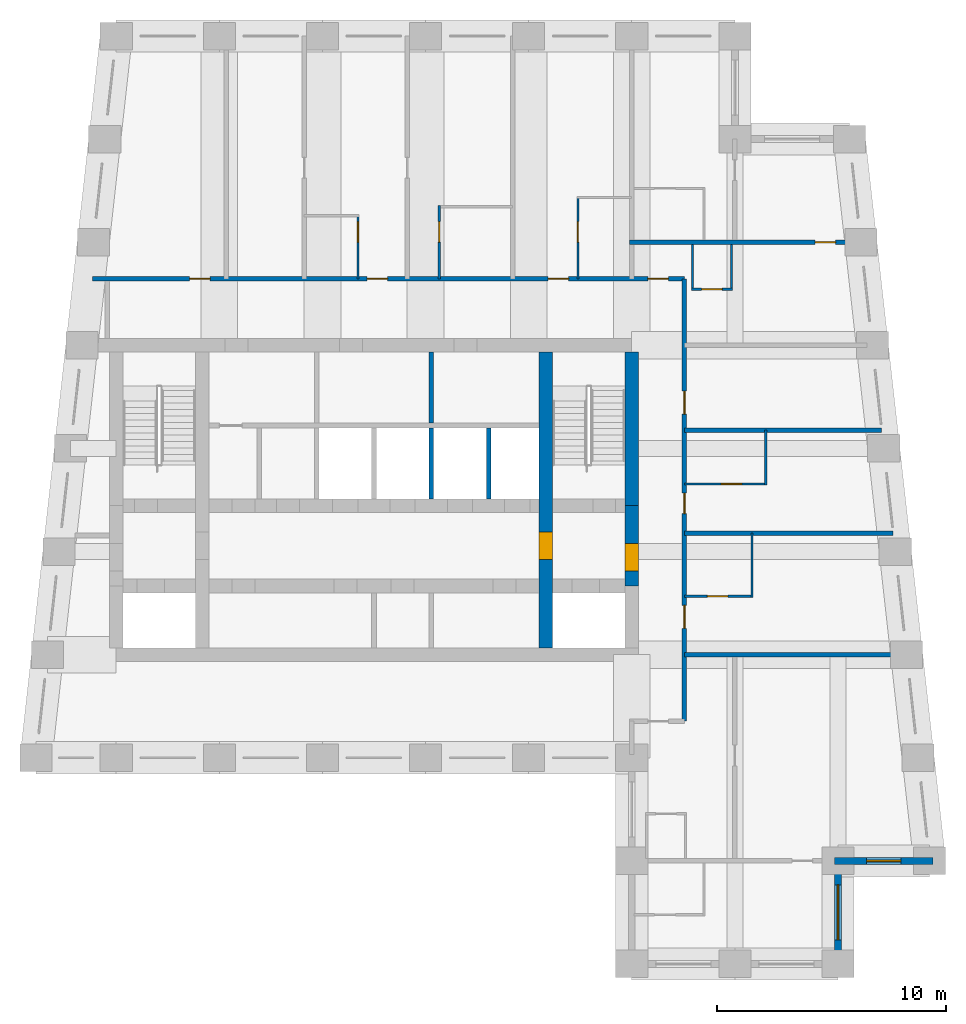
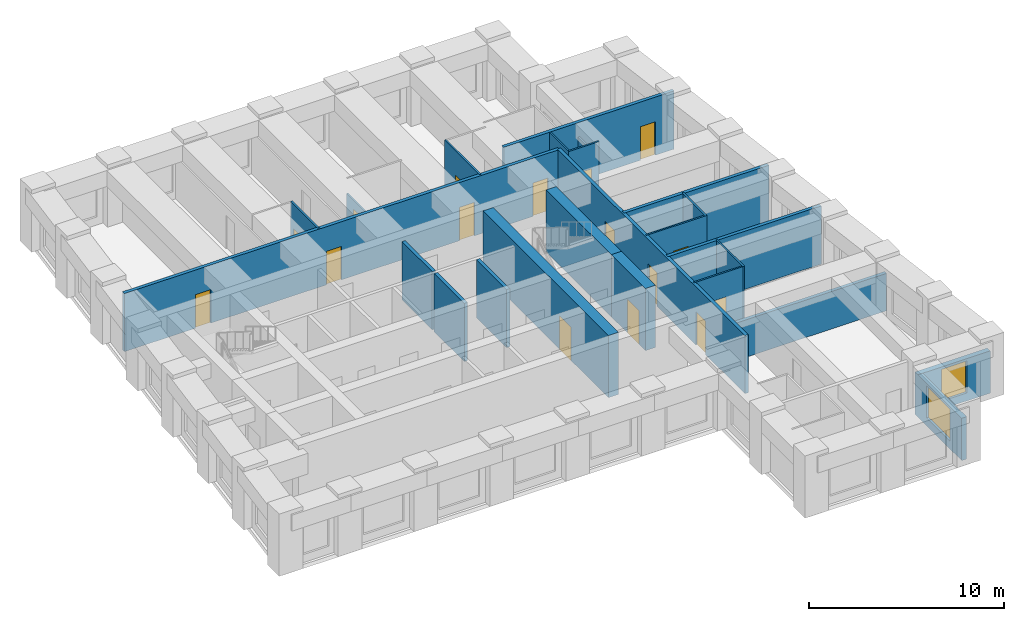
# One storey, part 4 of 7: 24 walls, 16 doors, 2 windows, 18 openings.
"""IFC4 building model written with IfcOpenShell, lengths in metres."""

from ifc_helpers import new_model, si_unit, direction, frame, frame_2d, origin, place, context, subcontext, project, spatial, rectangle, extrude, material, layer, layer_set, type_object, element, fill, save


model = new_model("IFC4")

# Units and contexts
model_context = context("Model", 3, precision=1e-05, world=origin(), true_north=direction((0.0, 1.0)))
body_context = subcontext(model_context, "Body", "Model", "MODEL_VIEW")
ifc_project = project(units=[si_unit("LENGTHUNIT", "METRE"), si_unit("AREAUNIT", "SQUARE_METRE"), si_unit("VOLUMEUNIT", "CUBIC_METRE"), si_unit("PLANEANGLEUNIT", "RADIAN"), si_unit("MASSUNIT", "GRAM", prefix="KILO")], contexts=[model_context])

# Site, building, storey
site_placement = place(None, origin())
site = spatial("IfcSite", under=ifc_project, at=site_placement, CompositionType="ELEMENT")
building_placement = place(site_placement, origin())
building = spatial("IfcBuilding", under=site, at=building_placement, Name="Kilele Tower Hotel", CompositionType="ELEMENT")
storey_placement = place(building_placement, frame((0.0, 0.0, 258.5)))
storey = spatial("IfcBuildingStorey", under=building, at=storey_placement, Name="L66", CompositionType="ELEMENT", Elevation=258.5)

# Wall
ifc_material_1 = material(Name="Moisture-resistant board")
ifc_layer_1 = layer(ifc_material_1, 0.10009765625)
ifc_layer_set_1 = layer_set([ifc_layer_1], Name="Moisture-resistant board")
wall_type_1 = type_object("IfcWallType", Name="Bathroom partition 100", PredefinedType="PLUMBINGWALL", material=ifc_layer_set_1)
wall_1_placement = place(storey_placement, frame((41.25, 16.0, 0.0), z_axis=(0.0, 0.0, 1.0), x_axis=(0.0, 1.0, 0.0)))
element("IfcWall", 1, at=wall_1_placement, inside=storey, type_object=wall_type_1, Name="Bathroom partition 100 L66", PredefinedType="PLUMBINGWALL", context=body_context, shape_type="SweptSolid", body=[
    extrude(rectangle(XDim=2.800048828125, YDim=0.10009765625, at=frame_2d((1.39990234375, 0.0))), origin(), (0.0, 0.0, 1.0), 3.64990234375),
])

# Wall, opening, door
wall_2_placement = place(storey_placement, frame((38.300048828125, 16.050048828125, 0.0), z_axis=(0.0, 0.0, 1.0), x_axis=(1.0, 0.0, 0.0)))
wall_2 = element("IfcWall", 2, at=wall_2_placement, inside=storey, type_object=wall_type_1, Name="Bathroom partition 100 L66", PredefinedType="PLUMBINGWALL", context=body_context, shape_type="SweptSolid", body=[
    extrude(rectangle(XDim=3.0, YDim=0.10009765625, at=frame_2d((1.5, 0.0))), origin(), (0.0, 0.0, 1.0), 3.64990234375),
])
opening_1_placement = place(wall_2_placement, frame((1.89990234375, 0.0, 0.0), z_axis=(0.0, 0.0, 1.0), x_axis=(-1.0, 0.0, 0.0)))
opening_1 = element("IfcOpeningElement", 3, at=opening_1_placement, cuts=wall_2, Name="Opening D2A", PredefinedType="OPENING", context=body_context, shape_type="SweptSolid", body=[
    extrude(rectangle(XDim=0.89990234375, YDim=2.10009765625, at=frame_2d((0.449951171875, 1.050048828125))), frame((0.0, 0.06005859375, 0.0), z_axis=(0.0, -1.0, 0.0), x_axis=(1.0, 0.0, 0.0)), (0.0, 0.0, 1.0), 0.1201171875),
])
ifc_material_2 = material(Name="Timber door leaf in hardwood frame", Category="wood")
door_type_1 = type_object("IfcDoorType", Name="Bathroom door 900", OperationType="SINGLE_SWING_LEFT", PredefinedType="DOOR", material=ifc_material_2)
door_1_placement = place(opening_1_placement, origin())
door_1 = element("IfcDoor", 4, at=door_1_placement, inside=storey, type_object=door_type_1, Name="Bathroom door 6602B", OperationType="SINGLE_SWING_RIGHT", OverallHeight=2.10009765625, OverallWidth=0.89990234375, PredefinedType="DOOR", context=body_context, shape_type="SweptSolid", body=[
    extrude(rectangle(XDim=0.89990234375, YDim=2.10009765625, at=frame_2d((0.449951171875, 1.050048828125))), frame((0.0, 0.02490234375, 0.0), z_axis=(0.0, -1.0, 0.0), x_axis=(1.0, 0.0, 0.0)), (0.0, 0.0, 1.0), 0.050048828125),
])
fill(opening_1, door_1)

# Wall
wall_3_placement = place(storey_placement, frame((41.85009765625, 20.89990234375, 0.0), z_axis=(0.0, 0.0, 1.0), x_axis=(0.0, 1.0, 0.0)))
element("IfcWall", 5, at=wall_3_placement, inside=storey, type_object=wall_type_1, Name="Bathroom partition 100 L66", PredefinedType="PLUMBINGWALL", context=body_context, shape_type="SweptSolid", body=[
    extrude(rectangle(XDim=2.400146484375, YDim=0.10009765625, at=frame_2d((1.2001953125, 0.0))), origin(), (0.0, 0.0, 1.0), 3.64990234375),
])

# Wall, opening, door
wall_4_placement = place(storey_placement, frame((38.300048828125, 20.949951171875, 0.0), z_axis=(0.0, 0.0, 1.0), x_axis=(1.0, 0.0, 0.0)))
wall_4 = element("IfcWall", 6, at=wall_4_placement, inside=storey, type_object=wall_type_1, Name="Bathroom partition 100 L66", PredefinedType="PLUMBINGWALL", context=body_context, shape_type="SweptSolid", body=[
    extrude(rectangle(XDim=3.599853515625, YDim=0.10009765625, at=frame_2d((1.7998046875, 0.0))), origin(), (0.0, 0.0, 1.0), 3.64990234375),
])
opening_2_placement = place(wall_4_placement, frame((2.5, 0.0, 0.0), z_axis=(0.0, 0.0, 1.0), x_axis=(-1.0, 0.0, 0.0)))
opening_2 = element("IfcOpeningElement", 7, at=opening_2_placement, cuts=wall_4, Name="Opening D2A", PredefinedType="OPENING", context=body_context, shape_type="SweptSolid", body=[
    extrude(rectangle(XDim=0.89990234375, YDim=2.10009765625, at=frame_2d((0.449951171875, 1.050048828125))), frame((0.0, 0.06005859375, 0.0), z_axis=(0.0, -1.0, 0.0), x_axis=(1.0, 0.0, 0.0)), (0.0, 0.0, 1.0), 0.1201171875),
])
door_2_placement = place(opening_2_placement, origin())
door_2 = element("IfcDoor", 8, at=door_2_placement, inside=storey, type_object=door_type_1, Name="Bathroom door 6603B", OperationType="SINGLE_SWING_RIGHT", OverallHeight=2.10009765625, OverallWidth=0.89990234375, PredefinedType="DOOR", context=body_context, shape_type="SweptSolid", body=[
    extrude(rectangle(XDim=0.89990234375, YDim=2.10009765625, at=frame_2d((0.449951171875, 1.050048828125))), frame((0.0, 0.02490234375, 0.0), z_axis=(0.0, -1.0, 0.0), x_axis=(1.0, 0.0, 0.0)), (0.0, 0.0, 1.0), 0.050048828125),
])
fill(opening_2, door_2)

wall_5_placement = place(storey_placement, frame((24.050048828125, 29.89990234375, 0.0), z_axis=(0.0, 0.0, 1.0), x_axis=(0.0, 1.0, 0.0)))
wall_5 = element("IfcWall", 9, at=wall_5_placement, inside=storey, type_object=wall_type_1, Name="Bathroom partition 100 L66", PredefinedType="PLUMBINGWALL", context=body_context, shape_type="SweptSolid", body=[
    extrude(rectangle(XDim=2.800048828125, YDim=0.10009765625, at=frame_2d((1.39990234375, 0.0))), origin(), (0.0, 0.0, 1.0), 3.64990234375),
])
opening_3_placement = place(wall_5_placement, frame((2.5, 0.0, 0.0), z_axis=(0.0, 0.0, 1.0), x_axis=(-1.0, 0.0, 0.0)))
opening_3 = element("IfcOpeningElement", 10, at=opening_3_placement, cuts=wall_5, Name="Opening D2A", PredefinedType="OPENING", context=body_context, shape_type="SweptSolid", body=[
    extrude(rectangle(XDim=0.89990234375, YDim=2.10009765625, at=frame_2d((0.449951171875, 1.050048828125))), frame((0.0, 0.06005859375, 0.0), z_axis=(0.0, -1.0, 0.0), x_axis=(1.0, 0.0, 0.0)), (0.0, 0.0, 1.0), 0.1201171875),
])
door_3_placement = place(opening_3_placement, origin())
door_3 = element("IfcDoor", 11, at=door_3_placement, inside=storey, type_object=door_type_1, Name="Bathroom door 6607B", OperationType="SINGLE_SWING_RIGHT", OverallHeight=2.10009765625, OverallWidth=0.89990234375, PredefinedType="DOOR", context=body_context, shape_type="SweptSolid", body=[
    extrude(rectangle(XDim=0.89990234375, YDim=2.10009765625, at=frame_2d((0.449951171875, 1.050048828125))), frame((0.0, 0.02490234375, 0.0), z_axis=(0.0, -1.0, 0.0), x_axis=(1.0, 0.0, 0.0)), (0.0, 0.0, 1.0), 0.050048828125),
])
fill(opening_3, door_3)

wall_6_placement = place(storey_placement, frame((27.60009765625, 29.89990234375, 0.0), z_axis=(0.0, 0.0, 1.0), x_axis=(0.0, 1.0, 0.0)))
wall_6 = element("IfcWall", 12, at=wall_6_placement, inside=storey, type_object=wall_type_1, Name="Bathroom partition 100 L66", PredefinedType="PLUMBINGWALL", context=body_context, shape_type="SweptSolid", body=[
    extrude(rectangle(XDim=3.2001953125, YDim=0.10009765625, at=frame_2d((1.60009765625, 0.0))), origin(), (0.0, 0.0, 1.0), 2.64990234375),
])
opening_4_placement = place(wall_6_placement, frame((1.60009765625, 0.0, 0.0)))
opening_4 = element("IfcOpeningElement", 13, at=opening_4_placement, cuts=wall_6, Name="Opening D2A", PredefinedType="OPENING", context=body_context, shape_type="SweptSolid", body=[
    extrude(rectangle(XDim=0.89990234375, YDim=2.10009765625, at=frame_2d((0.449951171875, 1.050048828125))), frame((0.0, 0.06005859375, 0.0), z_axis=(0.0, -1.0, 0.0), x_axis=(1.0, 0.0, 0.0)), (0.0, 0.0, 1.0), 0.1201171875),
])
door_4_placement = place(opening_4_placement, origin())
door_4 = element("IfcDoor", 14, at=door_4_placement, inside=storey, type_object=door_type_1, Name="Bathroom door 6608B", OperationType="SINGLE_SWING_LEFT", OverallHeight=2.10009765625, OverallWidth=0.89990234375, PredefinedType="DOOR", context=body_context, shape_type="SweptSolid", body=[
    extrude(rectangle(XDim=0.89990234375, YDim=2.10009765625, at=frame_2d((0.449951171875, 1.050048828125))), frame((0.0, 0.02490234375, 0.0), z_axis=(0.0, -1.0, 0.0), x_axis=(1.0, 0.0, 0.0)), (0.0, 0.0, 1.0), 0.050048828125),
])
fill(opening_4, door_4)

wall_7_placement = place(storey_placement, frame((33.64990234375, 29.89990234375, 0.0), z_axis=(0.0, 0.0, 1.0), x_axis=(0.0, 1.0, 0.0)))
wall_7 = element("IfcWall", 15, at=wall_7_placement, inside=storey, type_object=wall_type_1, Name="Bathroom partition 100 L66", PredefinedType="PLUMBINGWALL", context=body_context, shape_type="SweptSolid", body=[
    extrude(rectangle(XDim=3.60009765625, YDim=0.10009765625, at=frame_2d((1.800048828125, 0.0))), origin(), (0.0, 0.0, 1.0), 3.64990234375),
])
opening_5_placement = place(wall_7_placement, frame((1.60009765625, 0.0, 0.0)))
opening_5 = element("IfcOpeningElement", 16, at=opening_5_placement, cuts=wall_7, Name="Opening D2A", PredefinedType="OPENING", context=body_context, shape_type="SweptSolid", body=[
    extrude(rectangle(XDim=0.89990234375, YDim=2.10009765625, at=frame_2d((0.449951171875, 1.050048828125))), frame((0.0, 0.06005859375, 0.0), z_axis=(0.0, -1.0, 0.0), x_axis=(1.0, 0.0, 0.0)), (0.0, 0.0, 1.0), 0.1201171875),
])
door_5_placement = place(opening_5_placement, origin())
door_5 = element("IfcDoor", 17, at=door_5_placement, inside=storey, type_object=door_type_1, Name="Bathroom door 6609B", OperationType="SINGLE_SWING_LEFT", OverallHeight=2.10009765625, OverallWidth=0.89990234375, PredefinedType="DOOR", context=body_context, shape_type="SweptSolid", body=[
    extrude(rectangle(XDim=0.89990234375, YDim=2.10009765625, at=frame_2d((0.449951171875, 1.050048828125))), frame((0.0, 0.02490234375, 0.0), z_axis=(0.0, -1.0, 0.0), x_axis=(1.0, 0.0, 0.0)), (0.0, 0.0, 1.0), 0.050048828125),
])
fill(opening_5, door_5)

# Walls
wall_8_placement = place(storey_placement, frame((40.35009765625, 31.39990234375, 0.0), z_axis=(0.0, 0.0, 1.0), x_axis=(0.0, -1.0, 0.0)))
element("IfcWall", 18, at=wall_8_placement, inside=storey, type_object=wall_type_1, Name="Bathroom partition 100 L66", PredefinedType="PLUMBINGWALL", context=body_context, shape_type="SweptSolid", body=[
    extrude(rectangle(XDim=2.0, YDim=0.10009765625, at=frame_2d((1.0, 0.0))), origin(), (0.0, 0.0, 1.0), 2.75),
])
wall_9_placement = place(storey_placement, frame((38.64990234375, 31.39990234375, 0.0), z_axis=(0.0, 0.0, 1.0), x_axis=(0.0, -1.0, 0.0)))
element("IfcWall", 19, at=wall_9_placement, inside=storey, type_object=wall_type_1, Name="Bathroom partition 100 L66", PredefinedType="PLUMBINGWALL", context=body_context, shape_type="SweptSolid", body=[
    extrude(rectangle(XDim=2.0, YDim=0.10009765625, at=frame_2d((1.0, 0.0))), origin(), (0.0, 0.0, 1.0), 3.64990234375),
])

# Wall, opening, door
wall_10_placement = place(storey_placement, frame((38.60009765625, 29.449951171875, 0.0), z_axis=(0.0, 0.0, 1.0), x_axis=(1.0, 0.0, 0.0)))
wall_10 = element("IfcWall", 20, at=wall_10_placement, inside=storey, type_object=wall_type_1, Name="Bathroom partition 100 L66", PredefinedType="PLUMBINGWALL", context=body_context, shape_type="SweptSolid", body=[
    extrude(rectangle(XDim=1.7998046875, YDim=0.10009765625, at=frame_2d((0.89990234375, 0.0))), origin(), (0.0, 0.0, 1.0), 3.64990234375),
])
opening_6_placement = place(wall_10_placement, frame((1.349853515625, 0.0, 0.0), z_axis=(0.0, 0.0, 1.0), x_axis=(-1.0, 0.0, 0.0)))
opening_6 = element("IfcOpeningElement", 21, at=opening_6_placement, cuts=wall_10, Name="Opening D2A", PredefinedType="OPENING", context=body_context, shape_type="SweptSolid", body=[
    extrude(rectangle(XDim=0.89990234375, YDim=2.10009765625, at=frame_2d((0.449951171875, 1.050048828125))), frame((0.0, 0.06005859375, 0.0), z_axis=(0.0, -1.0, 0.0), x_axis=(1.0, 0.0, 0.0)), (0.0, 0.0, 1.0), 0.1201171875),
])
door_6_placement = place(opening_6_placement, origin())
door_6 = element("IfcDoor", 22, at=door_6_placement, inside=storey, type_object=door_type_1, Name="Bathroom door 6613P", OperationType="SINGLE_SWING_RIGHT", OverallHeight=2.10009765625, OverallWidth=0.89990234375, PredefinedType="DOOR", context=body_context, shape_type="SweptSolid", body=[
    extrude(rectangle(XDim=0.89990234375, YDim=2.10009765625, at=frame_2d((0.449951171875, 1.050048828125))), frame((0.0, 0.02490234375, 0.0), z_axis=(0.0, -1.0, 0.0), x_axis=(1.0, 0.0, 0.0)), (0.0, 0.0, 1.0), 0.050048828125),
])
fill(opening_6, door_6)

ifc_material_3 = material(Name="Concrete C60/75", Category="concrete")
ifc_layer_2 = layer(ifc_material_3, 0.60009765625)
ifc_layer_set_2 = layer_set([ifc_layer_2], Name="Concrete C60/75")
wall_type_2 = type_object("IfcWallType", Name="Core wall 600 C60/75", PredefinedType="SHEAR", material=ifc_layer_set_2)
wall_11_placement = place(storey_placement, frame((32.25, 13.800048828125, 0.0), z_axis=(0.0, 0.0, 1.0), x_axis=(0.0, 1.0, 0.0)))
wall_11 = element("IfcWall", 23, at=wall_11_placement, inside=storey, type_object=wall_type_2, Name="Core wall IE L66", PredefinedType="SHEAR", context=body_context, shape_type="SweptSolid", body=[
    extrude(rectangle(XDim=12.89990234375, YDim=0.60009765625, at=frame_2d((6.449951171875, 0.0))), origin(), (0.0, 0.0, 1.0), 3.89990234375),
])
opening_7_placement = place(wall_11_placement, frame((5.050048828125, 0.0, 0.0), z_axis=(0.0, 0.0, 1.0), x_axis=(-1.0, 0.0, 0.0)))
opening_7 = element("IfcOpeningElement", 24, at=opening_7_placement, cuts=wall_11, Name="Opening D4", PredefinedType="OPENING", context=body_context, shape_type="SweptSolid", body=[
    extrude(rectangle(XDim=1.199951171875, YDim=2.10009765625, at=frame_2d((0.60009765625, 1.050048828125))), frame((0.0, 0.31005859375, 0.0), z_axis=(0.0, -1.0, 0.0), x_axis=(1.0, 0.0, 0.0)), (0.0, 0.0, 1.0), 0.6201171875),
])
ifc_material_4 = material(Name="Timber door leaf in hardwood frame", Category="wood")
door_type_2 = type_object("IfcDoorType", Name="Firefighting lobby door 1200", OperationType="SINGLE_SWING_LEFT", PredefinedType="DOOR", material=ifc_material_4)
door_7_placement = place(opening_7_placement, origin())
door_7 = element("IfcDoor", 25, at=door_7_placement, inside=storey, type_object=door_type_2, Name="Lobby door L66", OperationType="SINGLE_SWING_RIGHT", OverallHeight=2.10009765625, OverallWidth=1.199951171875, PredefinedType="DOOR", context=body_context, shape_type="SweptSolid", body=[
    extrude(rectangle(XDim=1.199951171875, YDim=2.10009765625, at=frame_2d((0.60009765625, 1.050048828125))), frame((0.0, 0.2998046875, 0.0), z_axis=(0.0, -1.0, 0.0), x_axis=(1.0, 0.0, 0.0)), (0.0, 0.0, 1.0), 0.599609375),
])
fill(opening_7, door_7)

wall_12_placement = place(storey_placement, frame((36.0, 16.5, 0.0), z_axis=(0.0, 0.0, 1.0), x_axis=(0.0, 1.0, 0.0)))
wall_12 = element("IfcWall", 26, at=wall_12_placement, inside=storey, type_object=wall_type_2, Name="Core wall E2 L66", PredefinedType="SHEAR", context=body_context, shape_type="SweptSolid", body=[
    extrude(rectangle(XDim=3.5, YDim=0.60009765625, at=frame_2d((1.75, 0.0))), origin(), (0.0, 0.0, 1.0), 3.89990234375),
])
opening_8_placement = place(wall_12_placement, frame((0.64990234375, 0.0, 0.0)))
opening_8 = element("IfcOpeningElement", 27, at=opening_8_placement, cuts=wall_12, Name="Opening D4", PredefinedType="OPENING", context=body_context, shape_type="SweptSolid", body=[
    extrude(rectangle(XDim=1.199951171875, YDim=2.10009765625, at=frame_2d((0.60009765625, 1.050048828125))), frame((0.0, 0.31005859375, 0.0), z_axis=(0.0, -1.0, 0.0), x_axis=(1.0, 0.0, 0.0)), (0.0, 0.0, 1.0), 0.6201171875),
])
door_8_placement = place(opening_8_placement, origin())
door_8 = element("IfcDoor", 28, at=door_8_placement, inside=storey, type_object=door_type_2, Name="Lobby door L66", OperationType="SINGLE_SWING_LEFT", OverallHeight=2.10009765625, OverallWidth=1.199951171875, PredefinedType="DOOR", context=body_context, shape_type="SweptSolid", body=[
    extrude(rectangle(XDim=1.199951171875, YDim=2.10009765625, at=frame_2d((0.60009765625, 1.050048828125))), frame((0.0, 0.2998046875, 0.0), z_axis=(0.0, -1.0, 0.0), x_axis=(1.0, 0.0, 0.0)), (0.0, 0.0, 1.0), 0.599609375),
])
fill(opening_8, door_8)

# Wall
wall_13_placement = place(storey_placement, frame((36.0, 20.0, 0.0), z_axis=(0.0, 0.0, 1.0), x_axis=(0.0, 1.0, 0.0)))
element("IfcWall", 29, at=wall_13_placement, inside=storey, type_object=wall_type_2, Name="Core wall E3 L66", PredefinedType="SHEAR", context=body_context, shape_type="SweptSolid", body=[
    extrude(rectangle(XDim=6.699951171875, YDim=0.60009765625, at=frame_2d((3.35009765625, 0.0))), origin(), (0.0, 0.0, 1.0), 3.89990234375),
])

# Wall, openings, doors
ifc_material_5 = material(Name="Blockwork, plastered both sides", Category="masonry")
ifc_layer_3 = layer(ifc_material_5, 0.199951171875)
ifc_layer_set_3 = layer_set([ifc_layer_3], Name="Blockwork, plastered both sides")
wall_type_3 = type_object("IfcWallType", Name="Corridor wall 200", PredefinedType="PARTITIONING", material=ifc_layer_set_3)
wall_14_placement = place(storey_placement, frame((12.47314453125, 29.89990234375, 0.0), z_axis=(0.0, 0.0, 1.0), x_axis=(1.0, 0.0, 0.0)))
wall_14 = element("IfcWall", 30, at=wall_14_placement, inside=storey, type_object=wall_type_3, Name="Corridor wall 200 L66", PredefinedType="PARTITIONING", context=body_context, shape_type="SweptSolid", body=[
    extrude(rectangle(XDim=25.826904296875, YDim=0.199951171875, at=frame_2d((12.91357421875, 0.0))), origin(), (0.0, 0.0, 1.0), 3.64990234375),
])
opening_9_placement = place(wall_14_placement, frame((4.226806640625, 0.0, 0.0)))
opening_9 = element("IfcOpeningElement", 31, at=opening_9_placement, cuts=wall_14, Name="Opening D1", PredefinedType="OPENING", context=body_context, shape_type="SweptSolid", body=[
    extrude(rectangle(XDim=0.89990234375, YDim=2.10009765625, at=frame_2d((0.449951171875, 1.050048828125))), frame((0.0, 0.10986328125, 0.0), z_axis=(0.0, -1.0, 0.0), x_axis=(1.0, 0.0, 0.0)), (0.0, 0.0, 1.0), 0.219970703125),
])
opening_10_placement = place(wall_14_placement, frame((11.976806640625, 0.0, 0.0)))
opening_10 = element("IfcOpeningElement", 32, at=opening_10_placement, cuts=wall_14, Name="Opening D1", PredefinedType="OPENING", context=body_context, shape_type="SweptSolid", body=[
    extrude(rectangle(XDim=0.89990234375, YDim=2.10009765625, at=frame_2d((0.449951171875, 1.050048828125))), frame((0.0, 0.10986328125, 0.0), z_axis=(0.0, -1.0, 0.0), x_axis=(1.0, 0.0, 0.0)), (0.0, 0.0, 1.0), 0.219970703125),
])
opening_11_placement = place(wall_14_placement, frame((19.876953125, 0.0, 0.0)))
opening_11 = element("IfcOpeningElement", 33, at=opening_11_placement, cuts=wall_14, Name="Opening D1", PredefinedType="OPENING", context=body_context, shape_type="SweptSolid", body=[
    extrude(rectangle(XDim=0.89990234375, YDim=2.10009765625, at=frame_2d((0.449951171875, 1.050048828125))), frame((0.0, 0.10986328125, 0.0), z_axis=(0.0, -1.0, 0.0), x_axis=(1.0, 0.0, 0.0)), (0.0, 0.0, 1.0), 0.219970703125),
])
opening_12_placement = place(wall_14_placement, frame((24.226806640625, 0.0, 0.0)))
opening_12 = element("IfcOpeningElement", 34, at=opening_12_placement, cuts=wall_14, Name="Opening D1", PredefinedType="OPENING", context=body_context, shape_type="SweptSolid", body=[
    extrude(rectangle(XDim=0.89990234375, YDim=2.10009765625, at=frame_2d((0.449951171875, 1.050048828125))), frame((0.0, 0.10986328125, 0.0), z_axis=(0.0, -1.0, 0.0), x_axis=(1.0, 0.0, 0.0)), (0.0, 0.0, 1.0), 0.219970703125),
])
ifc_material_6 = material(Name="Timber door leaf in hardwood frame", Category="wood")
door_type_3 = type_object("IfcDoorType", Name="Guest room entrance door 900", OperationType="SINGLE_SWING_LEFT", PredefinedType="DOOR", material=ifc_material_6)
door_9_placement = place(opening_9_placement, origin())
door_9 = element("IfcDoor", 35, at=door_9_placement, inside=storey, type_object=door_type_3, Name="Room entrance 6605", OperationType="SINGLE_SWING_RIGHT", OverallHeight=2.10009765625, OverallWidth=0.89990234375, PredefinedType="DOOR", context=body_context, shape_type="SweptSolid", body=[
    extrude(rectangle(XDim=0.89990234375, YDim=2.10009765625, at=frame_2d((0.449951171875, 1.050048828125))), frame((0.0, 0.02490234375, 0.0), z_axis=(0.0, -1.0, 0.0), x_axis=(1.0, 0.0, 0.0)), (0.0, 0.0, 1.0), 0.050048828125),
])
fill(opening_9, door_9)
door_10_placement = place(opening_10_placement, origin())
door_10 = element("IfcDoor", 36, at=door_10_placement, inside=storey, type_object=door_type_3, Name="Room entrance 6607", OperationType="SINGLE_SWING_LEFT", OverallHeight=2.10009765625, OverallWidth=0.89990234375, PredefinedType="DOOR", context=body_context, shape_type="SweptSolid", body=[
    extrude(rectangle(XDim=0.89990234375, YDim=2.10009765625, at=frame_2d((0.449951171875, 1.050048828125))), frame((0.0, 0.02490234375, 0.0), z_axis=(0.0, -1.0, 0.0), x_axis=(1.0, 0.0, 0.0)), (0.0, 0.0, 1.0), 0.050048828125),
])
fill(opening_10, door_10)
door_11_placement = place(opening_11_placement, origin())
door_11 = element("IfcDoor", 37, at=door_11_placement, inside=storey, type_object=door_type_3, Name="Room entrance 6609", OperationType="SINGLE_SWING_RIGHT", OverallHeight=2.10009765625, OverallWidth=0.89990234375, PredefinedType="DOOR", context=body_context, shape_type="SweptSolid", body=[
    extrude(rectangle(XDim=0.89990234375, YDim=2.10009765625, at=frame_2d((0.449951171875, 1.050048828125))), frame((0.0, 0.02490234375, 0.0), z_axis=(0.0, -1.0, 0.0), x_axis=(1.0, 0.0, 0.0)), (0.0, 0.0, 1.0), 0.050048828125),
])
fill(opening_11, door_11)
door_12_placement = place(opening_12_placement, origin())
door_12 = element("IfcDoor", 38, at=door_12_placement, inside=storey, type_object=door_type_3, Name="Room entrance 6613", OperationType="SINGLE_SWING_LEFT", OverallHeight=2.10009765625, OverallWidth=0.89990234375, PredefinedType="DOOR", context=body_context, shape_type="SweptSolid", body=[
    extrude(rectangle(XDim=0.89990234375, YDim=2.10009765625, at=frame_2d((0.449951171875, 1.050048828125))), frame((0.0, 0.02490234375, 0.0), z_axis=(0.0, -1.0, 0.0), x_axis=(1.0, 0.0, 0.0)), (0.0, 0.0, 1.0), 0.050048828125),
])
fill(opening_12, door_12)

wall_15_placement = place(storey_placement, frame((38.300048828125, 10.60009765625, 0.0), z_axis=(0.0, 0.0, 1.0), x_axis=(0.0, 1.0, 0.0)))
wall_15 = element("IfcWall", 39, at=wall_15_placement, inside=storey, type_object=wall_type_3, Name="Corridor wall 200 L66", PredefinedType="PARTITIONING", context=body_context, shape_type="SweptSolid", body=[
    extrude(rectangle(XDim=19.2998046875, YDim=0.199951171875, at=frame_2d((9.64990234375, 0.0))), origin(), (0.0, 0.0, 1.0), 3.64990234375),
])
opening_13_placement = place(wall_15_placement, frame((5.050048828125, 0.0, 0.0), z_axis=(0.0, 0.0, 1.0), x_axis=(-1.0, 0.0, 0.0)))
opening_13 = element("IfcOpeningElement", 40, at=opening_13_placement, cuts=wall_15, Name="Opening D1A", PredefinedType="OPENING", context=body_context, shape_type="SweptSolid", body=[
    extrude(rectangle(XDim=1.0, YDim=2.10009765625, at=frame_2d((0.5, 1.050048828125))), frame((0.0, 0.10986328125, 0.0), z_axis=(0.0, -1.0, 0.0), x_axis=(1.0, 0.0, 0.0)), (0.0, 0.0, 1.0), 0.219970703125),
])
opening_14_placement = place(wall_15_placement, frame((9.949951171875, 0.0, 0.0), z_axis=(0.0, 0.0, 1.0), x_axis=(-1.0, 0.0, 0.0)))
opening_14 = element("IfcOpeningElement", 41, at=opening_14_placement, cuts=wall_15, Name="Opening D1", PredefinedType="OPENING", context=body_context, shape_type="SweptSolid", body=[
    extrude(rectangle(XDim=0.89990234375, YDim=2.10009765625, at=frame_2d((0.449951171875, 1.050048828125))), frame((0.0, 0.10986328125, 0.0), z_axis=(0.0, -1.0, 0.0), x_axis=(1.0, 0.0, 0.0)), (0.0, 0.0, 1.0), 0.219970703125),
])
opening_15_placement = place(wall_15_placement, frame((14.39990234375, 0.0, 0.0), z_axis=(0.0, 0.0, 1.0), x_axis=(-1.0, 0.0, 0.0)))
opening_15 = element("IfcOpeningElement", 42, at=opening_15_placement, cuts=wall_15, Name="Opening D8", PredefinedType="OPENING", context=body_context, shape_type="SweptSolid", body=[
    extrude(rectangle(XDim=1.0, YDim=2.10009765625, at=frame_2d((0.5, 1.050048828125))), frame((0.0, 0.10986328125, 0.0), z_axis=(0.0, -1.0, 0.0), x_axis=(1.0, 0.0, 0.0)), (0.0, 0.0, 1.0), 0.219970703125),
])
ifc_material_7 = material(Name="Timber door leaf in hardwood frame", Category="wood")
door_type_4 = type_object("IfcDoorType", Name="Door 1000", OperationType="SINGLE_SWING_LEFT", PredefinedType="DOOR", material=ifc_material_7)
door_13_placement = place(opening_15_placement, origin())
door_13 = element("IfcDoor", 43, at=door_13_placement, inside=storey, type_object=door_type_4, Name="Room entrance 6604", OperationType="SINGLE_SWING_RIGHT", OverallHeight=2.10009765625, OverallWidth=1.0, PredefinedType="DOOR", context=body_context, shape_type="SweptSolid", body=[
    extrude(rectangle(XDim=1.0, YDim=2.10009765625, at=frame_2d((0.5, 1.050048828125))), frame((0.0, 0.02490234375, 0.0), z_axis=(0.0, -1.0, 0.0), x_axis=(1.0, 0.0, 0.0)), (0.0, 0.0, 1.0), 0.050048828125),
])
fill(opening_15, door_13)
ifc_material_8 = material(Name="Timber door leaf in hardwood frame", Category="wood")
door_type_5 = type_object("IfcDoorType", Name="Guest room entrance door 1000", OperationType="SINGLE_SWING_LEFT", PredefinedType="DOOR", material=ifc_material_8)
door_14_placement = place(opening_13_placement, origin())
door_14 = element("IfcDoor", 44, at=door_14_placement, inside=storey, type_object=door_type_5, Name="Room entrance 6602", OperationType="SINGLE_SWING_LEFT", OverallHeight=2.10009765625, OverallWidth=1.0, PredefinedType="DOOR", context=body_context, shape_type="SweptSolid", body=[
    extrude(rectangle(XDim=1.0, YDim=2.10009765625, at=frame_2d((0.5, 1.050048828125))), frame((0.0, 0.02490234375, 0.0), z_axis=(0.0, -1.0, 0.0), x_axis=(1.0, 0.0, 0.0)), (0.0, 0.0, 1.0), 0.050048828125),
])
fill(opening_13, door_14)
door_15_placement = place(opening_14_placement, origin())
door_15 = element("IfcDoor", 45, at=door_15_placement, inside=storey, type_object=door_type_3, Name="Room entrance 6603", OperationType="SINGLE_SWING_LEFT", OverallHeight=2.10009765625, OverallWidth=0.89990234375, PredefinedType="DOOR", context=body_context, shape_type="SweptSolid", body=[
    extrude(rectangle(XDim=0.89990234375, YDim=2.10009765625, at=frame_2d((0.449951171875, 1.050048828125))), frame((0.0, 0.02490234375, 0.0), z_axis=(0.0, -1.0, 0.0), x_axis=(1.0, 0.0, 0.0)), (0.0, 0.0, 1.0), 0.050048828125),
])
fill(opening_14, door_15)

# Walls
ifc_material_9 = material(Name="Blockwork, plastered both sides", Category="masonry")
ifc_layer_4 = layer(ifc_material_9, 0.199951171875)
ifc_layer_set_4 = layer_set([ifc_layer_4], Name="Blockwork, plastered both sides")
wall_type_4 = type_object("IfcWallType", Name="Party wall 200", PredefinedType="PARTITIONING", material=ifc_layer_set_4)
wall_16_placement = place(storey_placement, frame((38.300048828125, 18.800048828125, 0.0), z_axis=(0.0, 0.0, 1.0), x_axis=(1.0, 0.0, 0.0)))
element("IfcWall", 46, at=wall_16_placement, inside=storey, type_object=wall_type_4, Name="Party wall 200 L66", PredefinedType="PARTITIONING", context=body_context, shape_type="SweptSolid", body=[
    extrude(rectangle(XDim=9.110107421875, YDim=0.199951171875, at=frame_2d((4.55517578125, 0.0))), origin(), (0.0, 0.0, 1.0), 3.64990234375),
])
wall_17_placement = place(storey_placement, frame((38.300048828125, 23.300048828125, 0.0), z_axis=(0.0, 0.0, 1.0), x_axis=(1.0, 0.0, 0.0)))
element("IfcWall", 47, at=wall_17_placement, inside=storey, type_object=wall_type_4, Name="Party wall 200 L66", PredefinedType="PARTITIONING", context=body_context, shape_type="SweptSolid", body=[
    extrude(rectangle(XDim=8.610107421875, YDim=0.199951171875, at=frame_2d((4.30517578125, 0.0))), origin(), (0.0, 0.0, 1.0), 3.64990234375),
])
wall_18_placement = place(storey_placement, frame((38.300048828125, 13.5, 0.0), z_axis=(0.0, 0.0, 1.0), x_axis=(1.0, 0.0, 0.0)))
element("IfcWall", 48, at=wall_18_placement, inside=storey, type_object=wall_type_4, Name="Party wall 200 L66", PredefinedType="PARTITIONING", context=body_context, shape_type="SweptSolid", body=[
    extrude(rectangle(XDim=9.921142578125, YDim=0.199951171875, at=frame_2d((4.96044921875, 0.0))), origin(), (0.0, 0.0, 1.0), 2.35009765625),
])

# Wall, opening, door
wall_19_placement = place(storey_placement, frame((35.89990234375, 31.5, 0.0), z_axis=(0.0, 0.0, 1.0), x_axis=(1.0, 0.0, 0.0)))
wall_19 = element("IfcWall", 49, at=wall_19_placement, inside=storey, type_object=wall_type_4, Name="Party wall 200 L66", PredefinedType="PARTITIONING", context=body_context, shape_type="SweptSolid", body=[
    extrude(rectangle(XDim=10.09912109375, YDim=0.199951171875, at=frame_2d((5.049560546875, 0.0))), origin(), (0.0, 0.0, 1.0), 3.64990234375),
])
opening_16_placement = place(wall_19_placement, frame((8.09912109375, 0.0, 0.0)))
opening_16 = element("IfcOpeningElement", 50, at=opening_16_placement, cuts=wall_19, Name="Opening D3", PredefinedType="OPENING", context=body_context, shape_type="SweptSolid", body=[
    extrude(rectangle(XDim=0.89990234375, YDim=2.10009765625, at=frame_2d((0.449951171875, 1.050048828125))), frame((0.0, 0.10986328125, 0.0), z_axis=(0.0, -1.0, 0.0), x_axis=(1.0, 0.0, 0.0)), (0.0, 0.0, 1.0), 0.219970703125),
])
ifc_material_10 = material(Name="Timber door leaf in hardwood frame", Category="wood")
door_type_6 = type_object("IfcDoorType", Name="Suite internal door 900", OperationType="SINGLE_SWING_LEFT", PredefinedType="DOOR", material=ifc_material_10)
door_16_placement = place(opening_16_placement, origin())
door_16 = element("IfcDoor", 51, at=door_16_placement, inside=storey, type_object=door_type_6, Name="Suite door 6614", OperationType="SINGLE_SWING_RIGHT", OverallHeight=2.10009765625, OverallWidth=0.89990234375, PredefinedType="DOOR", context=body_context, shape_type="SweptSolid", body=[
    extrude(rectangle(XDim=0.89990234375, YDim=2.10009765625, at=frame_2d((0.449951171875, 1.050048828125))), frame((0.0, 0.02490234375, 0.0), z_axis=(0.0, -1.0, 0.0), x_axis=(1.0, 0.0, 0.0)), (0.0, 0.0, 1.0), 0.050048828125),
])
fill(opening_16, door_16)

# Wall, opening, window
ifc_material_11 = material(Name="Concrete C40/50 precast", Category="concrete")
ifc_layer_5 = layer(ifc_material_11, 0.260009765625, Name="Precast backing", Category="LoadBearing")
ifc_material_12 = material(Name="Reconstituted stone finish", Category="masonry")
ifc_layer_6 = layer(ifc_material_12, 0.0400390625, Name="Face mix", Category="Finish")
ifc_layer_set_5 = layer_set([ifc_layer_5, ifc_layer_6], Name="Precast concrete C40/50, reconstituted stone finish")
wall_type_5 = type_object("IfcWallType", Name="Precast stone facade wall 300", PredefinedType="STANDARD", material=ifc_layer_set_5)
wall_20_placement = place(storey_placement, frame((45.0, -0.14990234375, 0.0), z_axis=(0.0, 0.0, 1.0), x_axis=(0.0, 1.0, 0.0)))
wall_20 = element("IfcWall", 52, at=wall_20_placement, inside=storey, type_object=wall_type_5, Name="Facade wall L66 edge 4", PredefinedType="STANDARD", context=body_context, shape_type="SweptSolid", body=[
    extrude(rectangle(XDim=4.7998046875, YDim=0.300048828125, at=frame_2d((2.39990234375, 0.0))), origin(), (0.0, 0.0, 1.0), 2.64990234375),
])
opening_17_placement = place(wall_20_placement, frame((1.199951171875, 0.0, 0.5)))
opening_17 = element("IfcOpeningElement", 53, at=opening_17_placement, cuts=wall_20, Name="Opening W4", PredefinedType="OPENING", context=body_context, shape_type="SweptSolid", body=[
    extrude(rectangle(XDim=2.39990234375, YDim=2.0, at=frame_2d((1.199951171875, 1.0))), frame((0.0, 0.159912109375, 0.0), z_axis=(0.0, -1.0, 0.0), x_axis=(1.0, 0.0, 0.0)), (0.0, 0.0, 1.0), 0.320068359375),
])
ifc_material_13 = material(Name="Aluminium frame, clear double glazing", Category="aluminium")
window_type_1 = type_object("IfcWindowType", Name="Window W4 2400 x 2000", PartitioningType="SINGLE_PANEL", PredefinedType="WINDOW", material=ifc_material_13)
window_1_placement = place(opening_17_placement, origin())
window_1 = element("IfcWindow", 54, at=window_1_placement, inside=storey, type_object=window_type_1, Name="Window L66", OverallHeight=2.0, OverallWidth=2.39990234375, PartitioningType="SINGLE_PANEL", PredefinedType="WINDOW", context=body_context, shape_type="SweptSolid", body=[
    extrude(rectangle(XDim=2.39990234375, YDim=2.0, at=frame_2d((1.199951171875, 1.0))), frame((0.0, 0.030029296875, 0.0), z_axis=(0.0, -1.0, 0.0), x_axis=(1.0, 0.0, 0.0)), (0.0, 0.0, 1.0), 0.06005859375),
])
fill(opening_17, window_1)

wall_21_placement = place(storey_placement, frame((44.85009765625, 4.5, 0.0), z_axis=(0.0, 0.0, 1.0), x_axis=(1.0, 0.0, 0.0)))
wall_21 = element("IfcWall", 55, at=wall_21_placement, inside=storey, type_object=wall_type_5, Name="Facade wall L66 edge 5", PredefinedType="STANDARD", context=body_context, shape_type="SweptSolid", body=[
    extrude(rectangle(XDim=4.2998046875, YDim=0.300048828125, at=frame_2d((2.14990234375, 0.0))), origin(), (0.0, 0.0, 1.0), 2.64990234375),
])
opening_18_placement = place(wall_21_placement, frame((1.39990234375, 0.0, 0.5)))
opening_18 = element("IfcOpeningElement", 56, at=opening_18_placement, cuts=wall_21, Name="Opening W4", PredefinedType="OPENING", context=body_context, shape_type="SweptSolid", body=[
    extrude(rectangle(XDim=1.5, YDim=2.0, at=frame_2d((0.75, 1.0))), frame((0.0, 0.159912109375, 0.0), z_axis=(0.0, -1.0, 0.0), x_axis=(1.0, 0.0, 0.0)), (0.0, 0.0, 1.0), 0.320068359375),
])
ifc_material_14 = material(Name="Aluminium frame, clear double glazing", Category="aluminium")
window_type_2 = type_object("IfcWindowType", Name="Window W4 1500 x 2000", PartitioningType="SINGLE_PANEL", PredefinedType="WINDOW", material=ifc_material_14)
window_2_placement = place(opening_18_placement, origin())
window_2 = element("IfcWindow", 57, at=window_2_placement, inside=storey, type_object=window_type_2, Name="Window L66", OverallHeight=2.0, OverallWidth=1.5, PartitioningType="SINGLE_PANEL", PredefinedType="WINDOW", context=body_context, shape_type="SweptSolid", body=[
    extrude(rectangle(XDim=1.5, YDim=2.0, at=frame_2d((0.75, 1.0))), frame((0.0, 0.030029296875, 0.0), z_axis=(0.0, -1.0, 0.0), x_axis=(1.0, 0.0, 0.0)), (0.0, 0.0, 1.0), 0.06005859375),
])
fill(opening_18, window_2)

# Walls
ifc_material_15 = material(Name="Blockwork, fire-rated", Category="masonry")
ifc_layer_7 = layer(ifc_material_15, 0.199951171875)
ifc_layer_set_6 = layer_set([ifc_layer_7], Name="Blockwork, fire-rated")
wall_type_6 = type_object("IfcWallType", Name="Shaft wall 200", PredefinedType="PARTITIONING", material=ifc_layer_set_6)
for number, where, z_axis, x_axis, name in (
    (58, (27.25, 20.300048828125, 0.0), (0.0, 0.0, 1.0), (0.0, 1.0, 0.0), "Shaft wall 200 L66"),
    (59, (29.75, 20.300048828125, 0.0), (0.0, 0.0, 1.0), (0.0, 1.0, 0.0), "Shaft wall 200 L66"),
    (60, (27.25, 23.60009765625, 0.0), (0.0, 0.0, 1.0), (0.0, 1.0, 0.0), "Shaft wall 200 L66"),
):
    element("IfcWall", number, at=place(storey_placement, frame(where, z_axis=z_axis, x_axis=x_axis)), inside=storey, type_object=wall_type_6, Name=name, PredefinedType="PARTITIONING", context=body_context, shape_type="SweptSolid", body=[
        extrude(rectangle(XDim=3.099853515625, YDim=0.199951171875, at=frame_2d((1.5498046875, 0.0))), origin(), (0.0, 0.0, 1.0), 3.64990234375),
    ])

save(model, "model.ifc")
